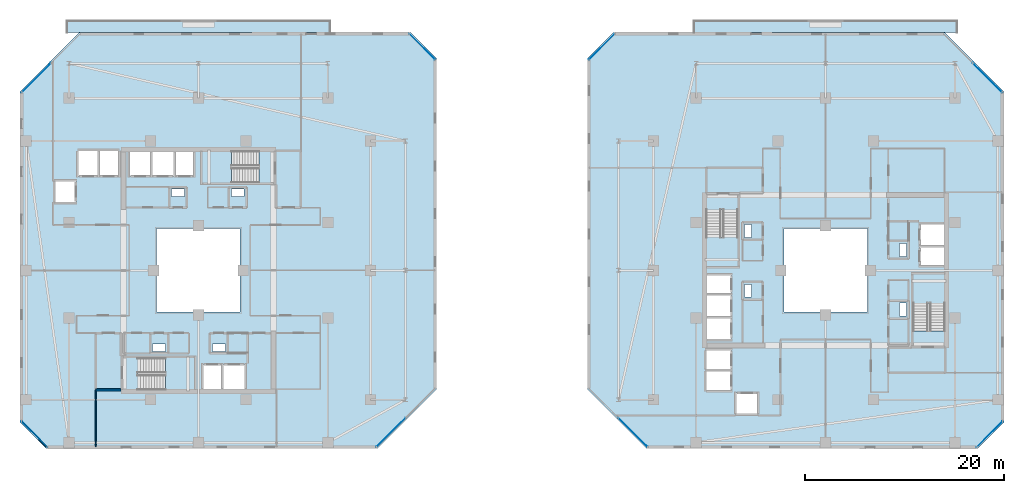
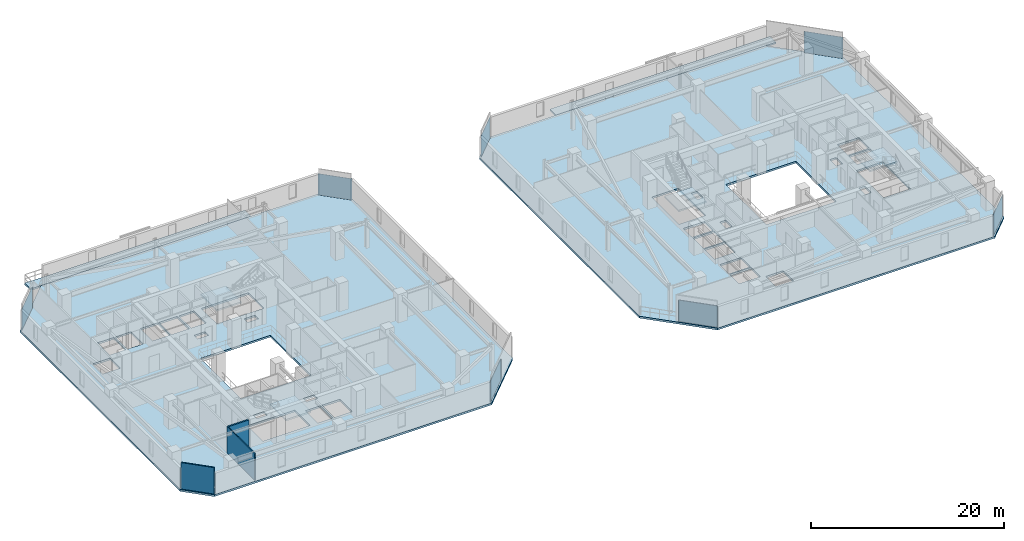
# One storey, part 18 of 32: 8 plates, 8 slabs, 3 walls, 12 elements without a shape of their own.
"""IFC4 building model written with IfcOpenShell, lengths in metres."""

from ifc_helpers import new_model, si_unit, direction, frame, frame_2d, origin, origin_2d, place, context, subcontext, project, spatial, polyline, rectangle, outline, extrude, material, layer, layer_set, type_object, element, aggregate, save


model = new_model("IFC4")

# Units and contexts
model_context = context("Model", 3, precision=1e-05, world=origin(), true_north=direction((0.0, 1.0)))
body_context = subcontext(model_context, "Body", "Model", "MODEL_VIEW")
ifc_project = project(units=[si_unit("LENGTHUNIT", "METRE"), si_unit("AREAUNIT", "SQUARE_METRE"), si_unit("VOLUMEUNIT", "CUBIC_METRE"), si_unit("PLANEANGLEUNIT", "RADIAN"), si_unit("MASSUNIT", "GRAM", prefix="KILO")], contexts=[model_context])

# Site, building, storey
site_placement = place(None, origin())
site = spatial("IfcSite", under=ifc_project, at=site_placement, CompositionType="ELEMENT")
building_placement = place(site_placement, origin())
building = spatial("IfcBuilding", under=site, at=building_placement, Name="Thornwick Lancets Civic Towers", CompositionType="ELEMENT")
storey_placement = place(building_placement, frame((0.0, 0.0, 178.5)))
storey = spatial("IfcBuildingStorey", under=building, at=storey_placement, Name="L47", CompositionType="ELEMENT", Elevation=178.5)

# Curtain wall, plate
ifc_material_1 = material(Name="Mid-zone chamfered-corner unitised glass curtain wall", Category="glass")
curtain_wall_type = type_object("IfcCurtainWallType", Name="CW_SYS_04", PredefinedType="NOTDEFINED", material=ifc_material_1)
curtain_wall_1_placement = place(storey_placement, origin())
curtain_wall_1 = element("IfcCurtainWall", 1, at=curtain_wall_1_placement, inside=storey, type_object=curtain_wall_type, Name="L47 Curtain Wall CW-L47-A-E1", PredefinedType="NOTDEFINED")
ifc_material_2 = material(Name="Low-e double glazing clear glass", Category="glass")
ifc_layer_1 = layer(ifc_material_2, 0.035888671875, Name="Low-e double glazing clear glass")
ifc_layer_set_1 = layer_set([ifc_layer_1], Name="Low-e double glazing clear glass")
plate_type = type_object("IfcPlateType", Name="CW_PNL_GLASS", PredefinedType="CURTAIN_PANEL", material=ifc_layer_set_1)
plate_1_placement = place(storey_placement, frame((44.8505859375, 10.724609375, 0.0), z_axis=(0.0, 0.0, 1.0), x_axis=(0.707106781187, 0.707106781187, 0.0)))
plate_1 = element("IfcPlate", 2, at=plate_1_placement, type_object=plate_type, Name="CW-L47-A-E1 Panel 0", PredefinedType="CURTAIN_PANEL", context=body_context, shape_type="SweptSolid", body=[
    extrude(rectangle(XDim=4.177490234375, YDim=0.035888671875, at=origin_2d()), origin(), (0.0, 0.0, 1.0), 2.699951171875),
])
aggregate(curtain_wall_1, [plate_1])

curtain_wall_2_placement = place(storey_placement, origin())
curtain_wall_2 = element("IfcCurtainWall", 3, at=curtain_wall_2_placement, inside=storey, type_object=curtain_wall_type, Name="L47 Curtain Wall CW-L47-A-E3", PredefinedType="NOTDEFINED")
plate_2_placement = place(storey_placement, frame((47.972900390625, 49.472900390625, 0.0), z_axis=(0.0, 0.0, 1.0), x_axis=(-0.707106781187, 0.707106781187, 0.0)))
plate_2 = element("IfcPlate", 4, at=plate_2_placement, type_object=plate_type, Name="CW-L47-A-E3 Panel 0", PredefinedType="CURTAIN_PANEL", context=body_context, shape_type="SweptSolid", body=[
    extrude(rectangle(XDim=3.649169921875, YDim=0.035888671875, at=origin_2d()), origin(), (0.0, 0.0, 1.0), 2.699951171875),
])
aggregate(curtain_wall_2, [plate_2])

curtain_wall_3_placement = place(storey_placement, origin())
curtain_wall_3 = element("IfcCurtainWall", 5, at=curtain_wall_3_placement, inside=storey, type_object=curtain_wall_type, Name="L47 Curtain Wall CW-L47-A-E5", PredefinedType="NOTDEFINED")
plate_3_placement = place(storey_placement, frame((9.224609375, 46.3505859375, 0.0), z_axis=(0.0, 0.0, 1.0), x_axis=(-0.707106781187, -0.707106781187, 0.0)))
plate_3 = element("IfcPlate", 6, at=plate_3_placement, type_object=plate_type, Name="CW-L47-A-E5 Panel 0", PredefinedType="CURTAIN_PANEL", context=body_context, shape_type="SweptSolid", body=[
    extrude(rectangle(XDim=4.177490234375, YDim=0.035888671875, at=origin_2d()), origin(), (0.0, 0.0, 1.0), 2.699951171875),
])
aggregate(curtain_wall_3, [plate_3])

curtain_wall_4_placement = place(storey_placement, origin())
curtain_wall_4 = element("IfcCurtainWall", 7, at=curtain_wall_4_placement, inside=storey, type_object=curtain_wall_type, Name="L47 Curtain Wall CW-L47-A-E7", PredefinedType="NOTDEFINED")
plate_4_placement = place(storey_placement, frame((9.027099609375, 10.527099609375, 0.0), z_axis=(0.0, 0.0, 1.0), x_axis=(0.707106781187, -0.707106781187, 0.0)))
plate_4 = element("IfcPlate", 8, at=plate_4_placement, type_object=plate_type, Name="CW-L47-A-E7 Panel 0", PredefinedType="CURTAIN_PANEL", context=body_context, shape_type="SweptSolid", body=[
    extrude(rectangle(XDim=3.649169921875, YDim=0.035888671875, at=origin_2d()), origin(), (0.0, 0.0, 1.0), 2.699951171875),
])
aggregate(curtain_wall_4, [plate_4])

curtain_wall_5_placement = place(storey_placement, origin())
curtain_wall_5 = element("IfcCurtainWall", 9, at=curtain_wall_5_placement, inside=storey, type_object=curtain_wall_type, Name="L47 Curtain Wall CW-L47-B-E1", PredefinedType="NOTDEFINED")
plate_5_placement = place(storey_placement, frame((104.972900390625, 10.527099609375, 0.0), z_axis=(0.0, 0.0, 1.0), x_axis=(0.707106781187, 0.707106781187, 0.0)))
plate_5 = element("IfcPlate", 10, at=plate_5_placement, type_object=plate_type, Name="CW-L47-B-E1 Panel 0", PredefinedType="CURTAIN_PANEL", context=body_context, shape_type="SweptSolid", body=[
    extrude(rectangle(XDim=3.649169921875, YDim=0.035888671875, at=origin_2d()), origin(), (0.0, 0.0, 1.0), 2.699951171875),
])
aggregate(curtain_wall_5, [plate_5])

curtain_wall_6_placement = place(storey_placement, origin())
curtain_wall_6 = element("IfcCurtainWall", 11, at=curtain_wall_6_placement, inside=storey, type_object=curtain_wall_type, Name="L47 Curtain Wall CW-L47-B-E3", PredefinedType="NOTDEFINED")
plate_6_placement = place(storey_placement, frame((104.775390625, 46.3505859375, 0.0), z_axis=(0.0, 0.0, 1.0), x_axis=(-0.707106781187, 0.707106781187, 0.0)))
plate_6 = element("IfcPlate", 12, at=plate_6_placement, type_object=plate_type, Name="CW-L47-B-E3 Panel 0", PredefinedType="CURTAIN_PANEL", context=body_context, shape_type="SweptSolid", body=[
    extrude(rectangle(XDim=4.177490234375, YDim=0.035888671875, at=origin_2d()), origin(), (0.0, 0.0, 1.0), 2.699951171875),
])
aggregate(curtain_wall_6, [plate_6])

curtain_wall_7_placement = place(storey_placement, origin())
curtain_wall_7 = element("IfcCurtainWall", 13, at=curtain_wall_7_placement, inside=storey, type_object=curtain_wall_type, Name="L47 Curtain Wall CW-L47-B-E5", PredefinedType="NOTDEFINED")
plate_7_placement = place(storey_placement, frame((66.027099609375, 49.472900390625, 0.0), z_axis=(0.0, 0.0, 1.0), x_axis=(-0.707106781187, -0.707106781187, 0.0)))
plate_7 = element("IfcPlate", 14, at=plate_7_placement, type_object=plate_type, Name="CW-L47-B-E5 Panel 0", PredefinedType="CURTAIN_PANEL", context=body_context, shape_type="SweptSolid", body=[
    extrude(rectangle(XDim=3.649169921875, YDim=0.035888671875, at=origin_2d()), origin(), (0.0, 0.0, 1.0), 2.699951171875),
])
aggregate(curtain_wall_7, [plate_7])

curtain_wall_8_placement = place(storey_placement, origin())
curtain_wall_8 = element("IfcCurtainWall", 15, at=curtain_wall_8_placement, inside=storey, type_object=curtain_wall_type, Name="L47 Curtain Wall CW-L47-B-E7", PredefinedType="NOTDEFINED")
plate_8_placement = place(storey_placement, frame((69.1494140625, 10.724609375, 0.0), z_axis=(0.0, 0.0, 1.0), x_axis=(0.707106781187, -0.707106781187, 0.0)))
plate_8 = element("IfcPlate", 16, at=plate_8_placement, type_object=plate_type, Name="CW-L47-B-E7 Panel 0", PredefinedType="CURTAIN_PANEL", context=body_context, shape_type="SweptSolid", body=[
    extrude(rectangle(XDim=4.177490234375, YDim=0.035888671875, at=origin_2d()), origin(), (0.0, 0.0, 1.0), 2.699951171875),
])
aggregate(curtain_wall_8, [plate_8])

# Slabs
ifc_material_3 = material(Name="Post-tensioned concrete C40/50", Category="concrete")
ifc_layer_2 = layer(ifc_material_3, 0.199951171875, Name="Post-tensioned concrete C40/50")
ifc_layer_set_2 = layer_set([ifc_layer_2], Name="Post-tensioned concrete C40/50")
slab_type_1 = type_object("IfcSlabType", Name="SLAB_BALCONY_200", PredefinedType="FLOOR", material=ifc_layer_set_2)
slab_1_placement = place(storey_placement, frame((0.0, 0.0, -0.199951171875)))
element("IfcSlab", 17, at=slab_1_placement, inside=storey, type_object=slab_type_1, Name="L47 Tower A Planted Balcony Slab N", PredefinedType="FLOOR", context=body_context, shape_type="SweptSolid", body=[
    extrude(outline(polyline([(12.300048828125, 50.89990234375), (38.699951171875, 50.89990234375), (38.699951171875, 52.14990234375), (12.300048828125, 52.14990234375), (12.300048828125, 50.89990234375)])), origin(), (0.0, 0.0, 1.0), 0.199951171875),
])
slab_2_placement = place(storey_placement, frame((0.0, 0.0, -0.199951171875)))
element("IfcSlab", 18, at=slab_2_placement, inside=storey, type_object=slab_type_1, Name="L47 Tower B Planted Balcony Slab N", PredefinedType="FLOOR", context=body_context, shape_type="SweptSolid", body=[
    extrude(outline(polyline([(75.300048828125, 50.89990234375), (101.699951171875, 50.89990234375), (101.699951171875, 52.14990234375), (75.300048828125, 52.14990234375), (75.300048828125, 50.89990234375)])), origin(), (0.0, 0.0, 1.0), 0.199951171875),
])

# Stair, slab
ifc_material_4 = material(Name="Concrete C40/50", Category="concrete")
stair_type = type_object("IfcStairType", Name="STAIR_DL_3600", PredefinedType="HALF_TURN_STAIR", material=ifc_material_4)
stair_1_placement = place(storey_placement, origin())
stair_1 = element("IfcStair", 19, at=stair_1_placement, inside=storey, type_object=stair_type, Name="L47 Tower A South Exit Stair ST-A1", PredefinedType="HALF_TURN_STAIR")
ifc_layer_3 = layer(ifc_material_4, 0.25, Name="Concrete C40/50")
ifc_layer_set_3 = layer_set([ifc_layer_3], Name="Concrete C40/50")
slab_type_2 = type_object("IfcSlabType", Name="SLAB_LANDING_200", PredefinedType="LANDING", material=ifc_layer_set_3)
slab_3_placement = place(storey_placement, frame((0.0, 0.0, 1.60302734375)))
slab_3 = element("IfcSlab", 20, at=slab_3_placement, type_object=slab_type_2, Name="ST-A1 landing 1", PredefinedType="LANDING", context=body_context, shape_type="SweptSolid", body=[
    extrude(outline(polyline([(22.169921875, 14.93994140625), (25.14990234375, 14.93994140625), (25.14990234375, 18.260009765625), (22.169921875, 18.260009765625), (22.169921875, 14.93994140625)])), origin(), (0.0, 0.0, 1.0), 0.199951171875),
])
aggregate(stair_1, [slab_3])

stair_2_placement = place(storey_placement, origin())
stair_2 = element("IfcStair", 21, at=stair_2_placement, inside=storey, type_object=stair_type, Name="L47 Tower A North Exit Stair ST-A2", PredefinedType="HALF_TURN_STAIR")
slab_4_placement = place(storey_placement, frame((0.0, 0.0, 1.60302734375)))
slab_4 = element("IfcSlab", 22, at=slab_4_placement, type_object=slab_type_2, Name="ST-A2 landing 1", PredefinedType="LANDING", context=body_context, shape_type="SweptSolid", body=[
    extrude(outline(polyline([(28.830078125, 39.06005859375), (25.85009765625, 39.06005859375), (25.85009765625, 35.739990234375), (28.830078125, 35.739990234375), (28.830078125, 39.06005859375)])), origin(), (0.0, 0.0, 1.0), 0.199951171875),
])
aggregate(stair_2, [slab_4])

stair_3_placement = place(storey_placement, origin())
stair_3 = element("IfcStair", 23, at=stair_3_placement, inside=storey, type_object=stair_type, Name="L47 Tower B East Exit Stair ST-B1", PredefinedType="HALF_TURN_STAIR")
slab_5_placement = place(storey_placement, frame((0.0, 0.0, 1.60302734375)))
slab_5 = element("IfcSlab", 24, at=slab_5_placement, type_object=slab_type_2, Name="ST-B1 landing 1", PredefinedType="LANDING", context=body_context, shape_type="SweptSolid", body=[
    extrude(outline(polyline([(100.56005859375, 23.669921875), (100.56005859375, 26.64990234375), (97.239990234375, 26.64990234375), (97.239990234375, 23.669921875), (100.56005859375, 23.669921875)])), origin(), (0.0, 0.0, 1.0), 0.199951171875),
])
aggregate(stair_3, [slab_5])

stair_4_placement = place(storey_placement, origin())
stair_4 = element("IfcStair", 25, at=stair_4_placement, inside=storey, type_object=stair_type, Name="L47 Tower B West Exit Stair ST-B2", PredefinedType="HALF_TURN_STAIR")
slab_6_placement = place(storey_placement, frame((0.0, 0.0, 1.60302734375)))
slab_6 = element("IfcSlab", 26, at=slab_6_placement, type_object=slab_type_2, Name="ST-B2 landing 1", PredefinedType="LANDING", context=body_context, shape_type="SweptSolid", body=[
    extrude(outline(polyline([(76.43994140625, 30.330078125), (76.43994140625, 27.35009765625), (79.760009765625, 27.35009765625), (79.760009765625, 30.330078125), (76.43994140625, 30.330078125)])), origin(), (0.0, 0.0, 1.0), 0.199951171875),
])
aggregate(stair_4, [slab_6])

# Slabs
ifc_layer_4 = layer(ifc_material_3, 0.239990234375, Name="Post-tensioned concrete C40/50")
ifc_layer_set_4 = layer_set([ifc_layer_4], Name="Post-tensioned concrete C40/50")
slab_type_3 = type_object("IfcSlabType", Name="SLAB_PT_240", PredefinedType="FLOOR", material=ifc_layer_set_4)
slab_7_placement = place(storey_placement, frame((0.0, 0.0, -0.239990234375)))
element("IfcSlab", 27, at=slab_7_placement, inside=storey, type_object=slab_type_3, Name="L47 Tower A Floor Slab", PredefinedType="FLOOR", context=body_context, shape_type="SweptSolid", body=[
    extrude(outline(polyline([(10.199951171875, 9.10009765625), (43.47705078125, 9.10009765625), (49.39990234375, 15.02294921875), (49.39990234375, 48.300048828125), (46.800048828125, 50.89990234375), (13.52294921875, 50.89990234375), (7.60009765625, 44.97705078125), (7.60009765625, 11.699951171875), (10.199951171875, 9.10009765625)]), holes=[polyline([(21.300048828125, 22.800048828125), (29.699951171875, 22.800048828125), (29.699951171875, 31.199951171875), (21.300048828125, 31.199951171875), (21.300048828125, 22.800048828125)]), polyline([(19.429931640625, 15.0), (25.10009765625, 15.0), (25.10009765625, 18.199951171875), (19.429931640625, 18.199951171875), (19.429931640625, 15.0)]), polyline([(31.570068359375, 39.0), (25.89990234375, 39.0), (25.89990234375, 35.800048828125), (31.570068359375, 35.800048828125), (31.570068359375, 39.0)]), polyline([(26.0, 15.0), (27.800048828125, 15.0), (27.800048828125, 17.550048828125), (26.0, 17.550048828125), (26.0, 15.0)]), polyline([(28.0, 15.0), (30.14990234375, 15.0), (30.14990234375, 17.550048828125), (28.0, 17.550048828125), (28.0, 15.0)]), polyline([(23.199951171875, 36.449951171875), (25.0, 36.449951171875), (25.0, 39.0), (23.199951171875, 39.0), (23.199951171875, 36.449951171875)]), polyline([(20.85009765625, 36.449951171875), (23.0, 36.449951171875), (23.0, 39.0), (20.85009765625, 39.0), (20.85009765625, 36.449951171875)]), polyline([(18.60009765625, 36.449951171875), (20.699951171875, 36.449951171875), (20.699951171875, 39.0), (18.60009765625, 39.0), (18.60009765625, 36.449951171875)]), polyline([(15.550048828125, 36.449951171875), (17.449951171875, 36.449951171875), (17.449951171875, 39.0), (15.550048828125, 39.0), (15.550048828125, 36.449951171875)]), polyline([(13.449951171875, 36.449951171875), (15.39990234375, 36.449951171875), (15.39990234375, 39.0), (13.449951171875, 39.0), (13.449951171875, 36.449951171875)]), polyline([(11.10009765625, 33.85009765625), (13.199951171875, 33.85009765625), (13.199951171875, 35.949951171875), (11.10009765625, 35.949951171875), (11.10009765625, 33.85009765625)]), polyline([(26.89990234375, 18.85009765625), (28.199951171875, 18.85009765625), (28.199951171875, 19.580078125), (26.89990234375, 19.580078125), (26.89990234375, 18.85009765625)]), polyline([(20.89990234375, 18.85009765625), (22.199951171875, 18.85009765625), (22.199951171875, 19.580078125), (20.89990234375, 19.580078125), (20.89990234375, 18.85009765625)]), polyline([(22.800048828125, 34.419921875), (24.10009765625, 34.419921875), (24.10009765625, 35.14990234375), (22.800048828125, 35.14990234375), (22.800048828125, 34.419921875)]), polyline([(28.800048828125, 34.419921875), (30.10009765625, 34.419921875), (30.10009765625, 35.14990234375), (28.800048828125, 35.14990234375), (28.800048828125, 34.419921875)])]), origin(), (0.0, 0.0, 1.0), 0.239990234375),
])
slab_8_placement = place(storey_placement, frame((0.0, 0.0, -0.239990234375)))
element("IfcSlab", 28, at=slab_8_placement, inside=storey, type_object=slab_type_3, Name="L47 Tower B Floor Slab", PredefinedType="FLOOR", context=body_context, shape_type="SweptSolid", body=[
    extrude(outline(polyline([(70.52294921875, 9.10009765625), (103.800048828125, 9.10009765625), (106.39990234375, 11.699951171875), (106.39990234375, 44.97705078125), (100.47705078125, 50.89990234375), (67.199951171875, 50.89990234375), (64.60009765625, 48.300048828125), (64.60009765625, 15.02294921875), (70.52294921875, 9.10009765625)]), holes=[polyline([(84.300048828125, 22.800048828125), (92.699951171875, 22.800048828125), (92.699951171875, 31.199951171875), (84.300048828125, 31.199951171875), (84.300048828125, 22.800048828125)]), polyline([(100.5, 20.929931640625), (100.5, 26.60009765625), (97.300048828125, 26.60009765625), (97.300048828125, 20.929931640625), (100.5, 20.929931640625)]), polyline([(76.5, 33.070068359375), (76.5, 27.39990234375), (79.699951171875, 27.39990234375), (79.699951171875, 33.070068359375), (76.5, 33.070068359375)]), polyline([(97.949951171875, 27.5), (100.5, 27.5), (100.5, 29.300048828125), (97.949951171875, 29.300048828125), (97.949951171875, 27.5)]), polyline([(97.949951171875, 29.5), (100.5, 29.5), (100.5, 31.64990234375), (97.949951171875, 31.64990234375), (97.949951171875, 29.5)]), polyline([(76.5, 24.699951171875), (79.050048828125, 24.699951171875), (79.050048828125, 26.5), (76.5, 26.5), (76.5, 24.699951171875)]), polyline([(76.5, 22.35009765625), (79.050048828125, 22.35009765625), (79.050048828125, 24.5), (76.5, 24.5), (76.5, 22.35009765625)]), polyline([(76.5, 20.10009765625), (79.050048828125, 20.10009765625), (79.050048828125, 22.199951171875), (76.5, 22.199951171875), (76.5, 20.10009765625)]), polyline([(76.5, 17.050048828125), (79.050048828125, 17.050048828125), (79.050048828125, 18.949951171875), (76.5, 18.949951171875), (76.5, 17.050048828125)]), polyline([(76.5, 14.949951171875), (79.050048828125, 14.949951171875), (79.050048828125, 16.89990234375), (76.5, 16.89990234375), (76.5, 14.949951171875)]), polyline([(79.550048828125, 12.60009765625), (81.64990234375, 12.60009765625), (81.64990234375, 14.699951171875), (79.550048828125, 14.699951171875), (79.550048828125, 12.60009765625)]), polyline([(95.919921875, 28.39990234375), (96.64990234375, 28.39990234375), (96.64990234375, 29.699951171875), (95.919921875, 29.699951171875), (95.919921875, 28.39990234375)]), polyline([(95.919921875, 22.39990234375), (96.64990234375, 22.39990234375), (96.64990234375, 23.699951171875), (95.919921875, 23.699951171875), (95.919921875, 22.39990234375)]), polyline([(80.35009765625, 24.300048828125), (81.080078125, 24.300048828125), (81.080078125, 25.60009765625), (80.35009765625, 25.60009765625), (80.35009765625, 24.300048828125)]), polyline([(80.35009765625, 30.300048828125), (81.080078125, 30.300048828125), (81.080078125, 31.60009765625), (80.35009765625, 31.60009765625), (80.35009765625, 30.300048828125)])]), origin(), (0.0, 0.0, 1.0), 0.239990234375),
])

# Walls
ifc_material_5 = material(Name="Concrete blockwork C40/50", Category="masonry")
ifc_layer_5 = layer(ifc_material_5, 0.199951171875, Name="Concrete blockwork C40/50")
ifc_layer_set_5 = layer_set([ifc_layer_5], Name="Concrete blockwork C40/50")
wall_type_1 = type_object("IfcWallType", Name="WALL_COMP_200", PredefinedType="STANDARD", material=ifc_layer_set_5)
wall_1_placement = place(storey_placement, frame((15.199951171875, 15.0, 0.0), z_axis=(0.0, 0.0, 1.0), x_axis=(1.0, 0.0, 0.0)))
element("IfcWall", 29, at=wall_1_placement, inside=storey, type_object=wall_type_1, Name="L47 Partition L47-A-FFLOB1 E1", PredefinedType="STANDARD", context=body_context, shape_type="SweptSolid", body=[
    extrude(rectangle(XDim=2.5, YDim=0.199951171875, at=frame_2d((1.25, 0.0))), origin(), (0.0, 0.0, 1.0), 3.340087890625),
])
ifc_material_6 = material(Name="Acoustic gypsum board partition")
ifc_layer_6 = layer(ifc_material_6, 0.1201171875, Name="Acoustic gypsum board partition")
ifc_layer_set_6 = layer_set([ifc_layer_6], Name="Acoustic gypsum board partition")
wall_type_2 = type_object("IfcWallType", Name="WALL_PART_120", PredefinedType="PARTITIONING", material=ifc_layer_set_6)
wall_2_placement = place(storey_placement, frame((15.199951171875, 15.0, 0.0), z_axis=(0.0, 0.0, 1.0), x_axis=(0.0, -1.0, 0.0)))
element("IfcWall", 30, at=wall_2_placement, inside=storey, type_object=wall_type_2, Name="L47 Partition L47-A-W1 E8", PredefinedType="PARTITIONING", context=body_context, shape_type="SweptSolid", body=[
    extrude(rectangle(XDim=5.719970703125, YDim=0.1201171875, at=frame_2d((2.85986328125, 0.0))), origin(), (0.0, 0.0, 1.0), 3.340087890625),
])
wall_3_placement = place(storey_placement, frame((10.274658203125, 9.280029296875, 0.0), z_axis=(0.0, 0.0, 1.0), x_axis=(-0.707106781187, 0.707106781187, 0.0)))
element("IfcWall", 31, at=wall_3_placement, inside=storey, type_object=wall_type_2, Name="L47 Partition L47-A-W1 E10", PredefinedType="PARTITIONING", context=body_context, shape_type="SweptSolid", body=[
    extrude(rectangle(XDim=3.52783203125, YDim=0.1201171875, at=frame_2d((1.763916015625, 0.0))), origin(), (0.0, 0.0, 1.0), 3.340087890625),
])

save(model, "model.ifc")
